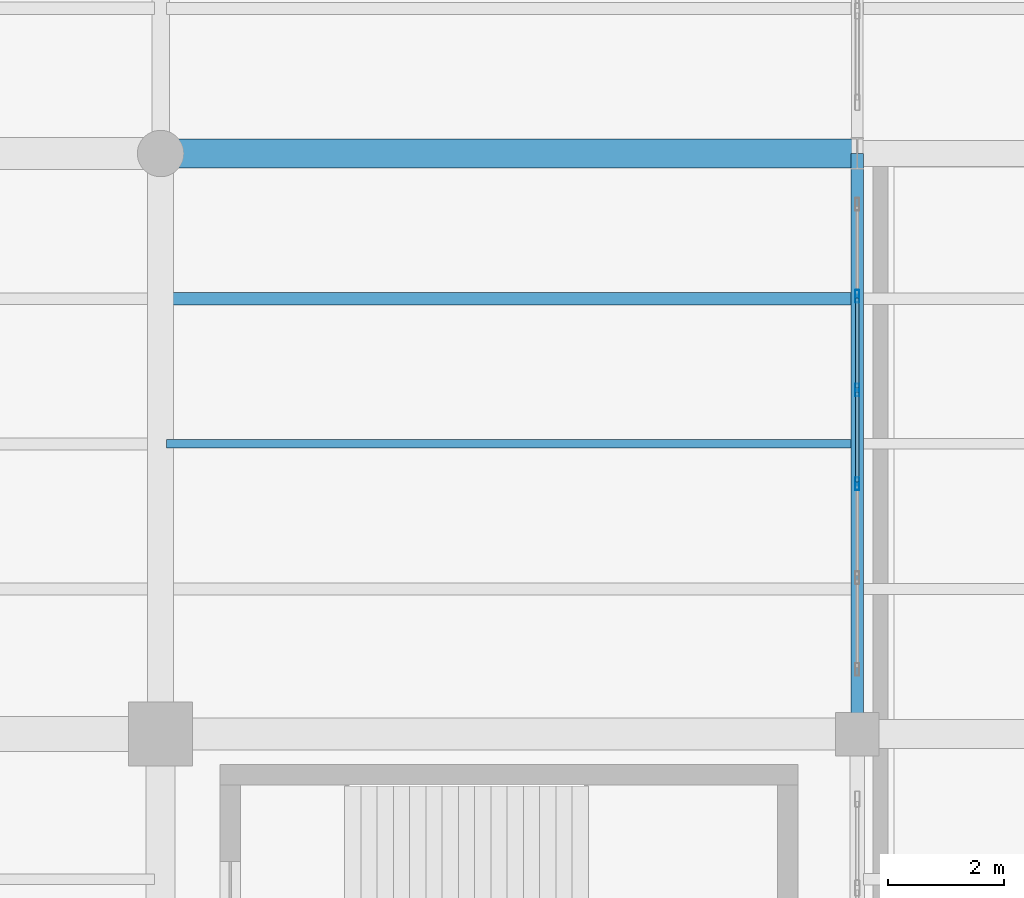
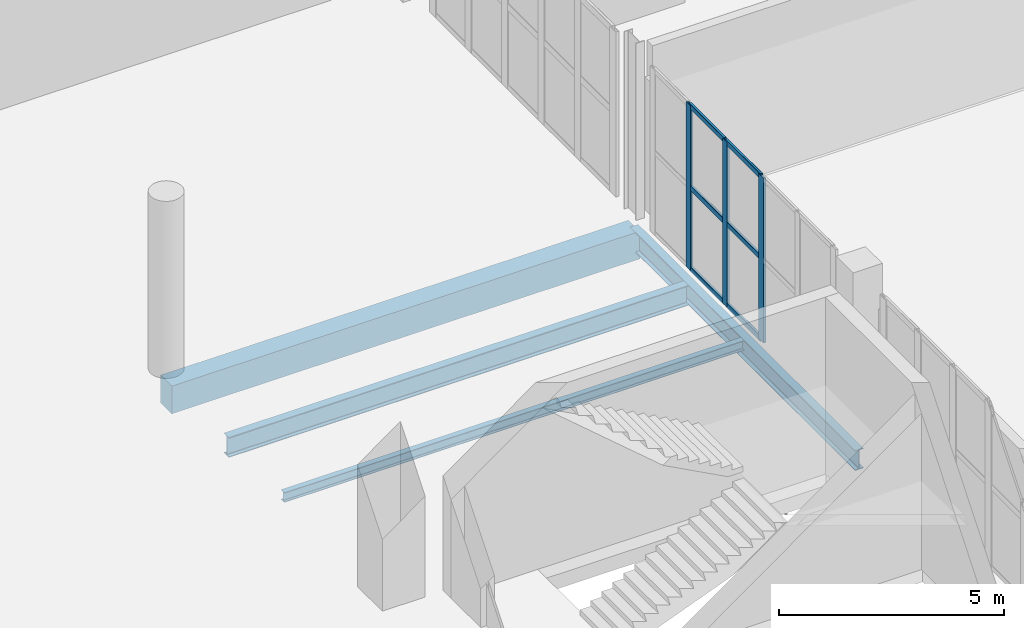
# One storey, part 73 of 136: 9 members, 4 beams, 1 element without a shape of its own.
"""IFC4 building model written with IfcOpenShell, lengths in metres."""

from ifc_helpers import new_model, si_unit, direction, frame, origin, origin_2d, place, context, subcontext, project, spatial, rectangle, hollow_rectangle, i_section, extrude, material, layer, layer_set, material_profile, profile_set, type_object, element, aggregate, save


model = new_model("IFC4")

# Units and contexts
model_context = context("Model", 3, precision=1e-05, world=origin(), true_north=direction((0.0, 1.0)))
body_context = subcontext(model_context, "Body", "Model", "MODEL_VIEW")
ifc_project = project(units=[si_unit("LENGTHUNIT", "METRE"), si_unit("AREAUNIT", "SQUARE_METRE"), si_unit("VOLUMEUNIT", "CUBIC_METRE"), si_unit("PLANEANGLEUNIT", "RADIAN"), si_unit("MASSUNIT", "GRAM", prefix="KILO")], contexts=[model_context])

# Site, building, storey
site_placement = place(None, origin())
site = spatial("IfcSite", under=ifc_project, at=site_placement, CompositionType="ELEMENT")
building_placement = place(site_placement, origin())
building = spatial("IfcBuilding", under=site, at=building_placement, Name="Brinegate Civic Arena", CompositionType="ELEMENT")
storey_placement = place(building_placement, frame((0.0, 0.0, 5.39990234375)))
storey = spatial("IfcBuildingStorey", under=building, at=storey_placement, Name="L01", CompositionType="ELEMENT", Elevation=5.39990234375)

# Curtain wall, members
ifc_material_1 = material(Name="Marine grade aluminium", Category="aluminium")
ifc_layer = layer(ifc_material_1, 0.199951171875, Name="Marine grade aluminium")
ifc_layer_set = layer_set([ifc_layer], Name="Marine grade aluminium")
curtain_wall_type = type_object("IfcCurtainWallType", Name="CW-BOWL-GLAZED-01", PredefinedType="USERDEFINED", material=ifc_layer_set)
curtain_wall_placement = place(storey_placement, origin())
curtain_wall = element("IfcCurtainWall", 1, at=curtain_wall_placement, inside=storey, type_object=curtain_wall_type, Name="Curtain Wall CWA-051", ObjectType="GLAZED CURTAIN WALL", PredefinedType="USERDEFINED")
ifc_material_profile_1 = material_profile(ifc_material_1, hollow_rectangle(XDim=0.06494140625, YDim=0.219970703125, WallThickness=0.006103515625, InnerFilletRadius=0.00390625, OuterFilletRadius=0.008056640625, at=origin_2d()), Name="MUL65X220")
ifc_profile_set_1 = profile_set([ifc_material_profile_1], Name="Marine grade aluminium")
member_type_1 = type_object("IfcMemberType", Name="CW-MULLION-65X220", PredefinedType="MULLION", material=ifc_profile_set_1)
member_1_placement = place(storey_placement, frame((168.0, 56.311279296875, 0.0), z_axis=(0.0, 0.0, 1.0), x_axis=(-1.0, 0.0, 0.0)))
member_1 = element("IfcMember", 2, at=member_1_placement, type_object=member_type_1, Name="CWA-051 mullion 3", PredefinedType="MULLION", context=body_context, shape_type="SweptSolid", body=[
    extrude(hollow_rectangle(XDim=0.06494140625, YDim=0.219970703125, WallThickness=0.006103515625, InnerFilletRadius=0.00390625, OuterFilletRadius=0.008056640625, at=origin_2d()), origin(), (0.0, 0.0, 1.0), 4.47021484375),
])
member_2_placement = place(storey_placement, frame((168.0, 57.9267578125, 0.0), z_axis=(0.0, 0.0, 1.0), x_axis=(-1.0, 0.0, 0.0)))
member_2 = element("IfcMember", 3, at=member_2_placement, type_object=member_type_1, Name="CWA-051 mullion 4", PredefinedType="MULLION", context=body_context, shape_type="SweptSolid", body=[
    extrude(hollow_rectangle(XDim=0.06494140625, YDim=0.219970703125, WallThickness=0.006103515625, InnerFilletRadius=0.00390625, OuterFilletRadius=0.008056640625, at=origin_2d()), origin(), (0.0, 0.0, 1.0), 4.47021484375),
])
member_3_placement = place(storey_placement, frame((168.0, 59.54248046875, 0.0), z_axis=(0.0, 0.0, 1.0), x_axis=(-1.0, 0.0, 0.0)))
member_3 = element("IfcMember", 4, at=member_3_placement, type_object=member_type_1, Name="CWA-051 mullion 5", PredefinedType="MULLION", context=body_context, shape_type="SweptSolid", body=[
    extrude(hollow_rectangle(XDim=0.06494140625, YDim=0.219970703125, WallThickness=0.006103515625, InnerFilletRadius=0.00390625, OuterFilletRadius=0.008056640625, at=origin_2d()), origin(), (0.0, 0.0, 1.0), 4.47021484375),
])
ifc_material_profile_2 = material_profile(ifc_material_1, hollow_rectangle(XDim=0.06494140625, YDim=0.139892578125, WallThickness=0.0048828125, InnerFilletRadius=0.00390625, OuterFilletRadius=0.008056640625, at=origin_2d()), Name="TRN65X140")
ifc_profile_set_2 = profile_set([ifc_material_profile_2], Name="Marine grade aluminium")
member_type_2 = type_object("IfcMemberType", Name="CW-TRANSOM-65X140", PredefinedType="USERDEFINED", material=ifc_profile_set_2)
member_4_placement = place(storey_placement, frame((168.0, 56.34375, 0.03271484375), z_axis=(0.0, 1.0, 0.0), x_axis=(-1.0, 0.0, 0.0)))
member_4 = element("IfcMember", 5, at=member_4_placement, type_object=member_type_2, Name="CWA-051 transom 3.1", ObjectType="TRANSOM", PredefinedType="USERDEFINED", context=body_context, shape_type="SweptSolid", body=[
    extrude(hollow_rectangle(XDim=0.06494140625, YDim=0.139892578125, WallThickness=0.0048828125, InnerFilletRadius=0.00390625, OuterFilletRadius=0.008056640625, at=origin_2d()), origin(), (0.0, 0.0, 1.0), 1.550537109375),
])
member_5_placement = place(storey_placement, frame((168.0, 56.34375, 2.235107421875), z_axis=(0.0, 1.0, 0.0), x_axis=(-1.0, 0.0, 0.0)))
member_5 = element("IfcMember", 6, at=member_5_placement, type_object=member_type_2, Name="CWA-051 transom 3.2", ObjectType="TRANSOM", PredefinedType="USERDEFINED", context=body_context, shape_type="SweptSolid", body=[
    extrude(hollow_rectangle(XDim=0.06494140625, YDim=0.139892578125, WallThickness=0.0048828125, InnerFilletRadius=0.00390625, OuterFilletRadius=0.008056640625, at=origin_2d()), origin(), (0.0, 0.0, 1.0), 1.550537109375),
])
member_6_placement = place(storey_placement, frame((168.0, 56.34375, 4.4375), z_axis=(0.0, 1.0, 0.0), x_axis=(-1.0, 0.0, 0.0)))
member_6 = element("IfcMember", 7, at=member_6_placement, type_object=member_type_2, Name="CWA-051 transom 3.3", ObjectType="TRANSOM", PredefinedType="USERDEFINED", context=body_context, shape_type="SweptSolid", body=[
    extrude(hollow_rectangle(XDim=0.06494140625, YDim=0.139892578125, WallThickness=0.0048828125, InnerFilletRadius=0.00390625, OuterFilletRadius=0.008056640625, at=origin_2d()), origin(), (0.0, 0.0, 1.0), 1.550537109375),
])
member_7_placement = place(storey_placement, frame((168.0, 57.959228515625, 0.03271484375), z_axis=(0.0, 1.0, 0.0), x_axis=(-1.0, 0.0, 0.0)))
member_7 = element("IfcMember", 8, at=member_7_placement, type_object=member_type_2, Name="CWA-051 transom 4.1", ObjectType="TRANSOM", PredefinedType="USERDEFINED", context=body_context, shape_type="SweptSolid", body=[
    extrude(hollow_rectangle(XDim=0.06494140625, YDim=0.139892578125, WallThickness=0.0048828125, InnerFilletRadius=0.00390625, OuterFilletRadius=0.008056640625, at=origin_2d()), origin(), (0.0, 0.0, 1.0), 1.55078125),
])
member_8_placement = place(storey_placement, frame((168.0, 57.959228515625, 2.235107421875), z_axis=(0.0, 1.0, 0.0), x_axis=(-1.0, 0.0, 0.0)))
member_8 = element("IfcMember", 9, at=member_8_placement, type_object=member_type_2, Name="CWA-051 transom 4.2", ObjectType="TRANSOM", PredefinedType="USERDEFINED", context=body_context, shape_type="SweptSolid", body=[
    extrude(hollow_rectangle(XDim=0.06494140625, YDim=0.139892578125, WallThickness=0.0048828125, InnerFilletRadius=0.00390625, OuterFilletRadius=0.008056640625, at=origin_2d()), origin(), (0.0, 0.0, 1.0), 1.55078125),
])
member_9_placement = place(storey_placement, frame((168.0, 57.959228515625, 4.4375), z_axis=(0.0, 1.0, 0.0), x_axis=(-1.0, 0.0, 0.0)))
member_9 = element("IfcMember", 10, at=member_9_placement, type_object=member_type_2, Name="CWA-051 transom 4.3", ObjectType="TRANSOM", PredefinedType="USERDEFINED", context=body_context, shape_type="SweptSolid", body=[
    extrude(hollow_rectangle(XDim=0.06494140625, YDim=0.139892578125, WallThickness=0.0048828125, InnerFilletRadius=0.00390625, OuterFilletRadius=0.008056640625, at=origin_2d()), origin(), (0.0, 0.0, 1.0), 1.55078125),
])
aggregate(curtain_wall, [member_1, member_2, member_3, member_4, member_5, member_6, member_7, member_8, member_9])

# Beams
ifc_material_2 = material(Name="Steel S355", Category="steel")
ifc_material_profile_3 = material_profile(ifc_material_2, i_section(OverallWidth=0.14794921875, OverallDepth=0.26611328125, WebThickness=0.008056640625, FlangeThickness=0.012939453125, FilletRadius=0.011962890625, at=origin_2d()), Name="W250X45")
ifc_profile_set_3 = profile_set([ifc_material_profile_3], Name="Steel S355")
beam_type_1 = type_object("IfcBeamType", Name="JOIST-W250X45", PredefinedType="JOIST", material=ifc_profile_set_3)
beam_1_placement = place(storey_placement, frame((156.10595703125, 57.0, -0.472900390625), z_axis=(1.0, 0.0, 0.0), x_axis=(0.0, 1.0, 0.0)))
element("IfcBeam", 11, at=beam_1_placement, inside=storey, type_object=beam_type_1, Name="Secondary Joist BM-L01-JX-13-05-2", PredefinedType="JOIST", context=body_context, shape_type="SweptSolid", body=[
    extrude(i_section(OverallWidth=0.14794921875, OverallDepth=0.26611328125, WebThickness=0.008056640625, FlangeThickness=0.012939453125, FilletRadius=0.011962890625, at=origin_2d()), origin(), (0.0, 0.0, 1.0), 11.7880859375),
])
ifc_material_profile_4 = material_profile(ifc_material_2, i_section(OverallWidth=0.2119140625, OverallDepth=0.5439453125, WebThickness=0.012939453125, FlangeThickness=0.02099609375, FilletRadius=0.01611328125, at=origin_2d()), Name="W530X123")
ifc_profile_set_4 = profile_set([ifc_material_profile_4], Name="Steel S355")
beam_type_2 = type_object("IfcBeamType", Name="JOIST-W530X123", PredefinedType="JOIST", material=ifc_profile_set_4)
beam_2_placement = place(storey_placement, frame((156.10595703125, 59.5, -0.61181640625), z_axis=(1.0, 0.0, 0.0), x_axis=(0.0, 1.0, 0.0)))
element("IfcBeam", 12, at=beam_2_placement, inside=storey, type_object=beam_type_2, Name="Secondary Joist BM-L01-JX-13-05-3", PredefinedType="JOIST", context=body_context, shape_type="SweptSolid", body=[
    extrude(i_section(OverallWidth=0.2119140625, OverallDepth=0.5439453125, WebThickness=0.012939453125, FlangeThickness=0.02099609375, FilletRadius=0.01611328125, at=origin_2d()), origin(), (0.0, 0.0, 1.0), 11.7880859375),
])
ifc_material_3 = material(Name="Concrete C50/60", Category="concrete")
ifc_material_profile_5 = material_profile(ifc_material_3, rectangle(XDim=0.5, YDim=0.75, at=origin_2d()), Name="RCB500X750")
ifc_profile_set_5 = profile_set([ifc_material_profile_5], Name="Concrete C50/60")
beam_type_3 = type_object("IfcBeamType", Name="RCG-500X750", PredefinedType="BEAM", material=ifc_profile_set_5)
beam_3_placement = place(storey_placement, frame((156.0, 62.0, -0.71484375), z_axis=(1.0, 0.0, 0.0), x_axis=(0.0, 1.0, 0.0)))
element("IfcBeam", 13, at=beam_3_placement, inside=storey, type_object=beam_type_3, Name="Floor Girder BM-L01-GX-13-06", PredefinedType="BEAM", context=body_context, shape_type="SweptSolid", body=[
    extrude(rectangle(XDim=0.5, YDim=0.75, at=origin_2d()), origin(), (0.0, 0.0, 1.0), 12.0),
])
ifc_material_profile_6 = material_profile(ifc_material_2, i_section(OverallWidth=0.2119140625, OverallDepth=0.5439453125, WebThickness=0.012939453125, FlangeThickness=0.02099609375, FilletRadius=0.01611328125, at=origin_2d()), Name="W530X123")
ifc_profile_set_6 = profile_set([ifc_material_profile_6], Name="Steel S355")
beam_type_4 = type_object("IfcBeamType", Name="SPANDREL-W530X123", PredefinedType="SPANDREL", material=ifc_profile_set_6)
beam_4_placement = place(storey_placement, frame((168.0, 52.0, -0.61181640625), z_axis=(0.0, 1.0, 0.0), x_axis=(-1.0, 0.0, 0.0)))
element("IfcBeam", 14, at=beam_4_placement, inside=storey, type_object=beam_type_4, Name="Floor Girder BM-L01-GY-14-05", PredefinedType="SPANDREL", context=body_context, shape_type="SweptSolid", body=[
    extrude(i_section(OverallWidth=0.2119140625, OverallDepth=0.5439453125, WebThickness=0.012939453125, FlangeThickness=0.02099609375, FilletRadius=0.01611328125, at=origin_2d()), origin(), (0.0, 0.0, 1.0), 10.0),
])

save(model, "model.ifc")
